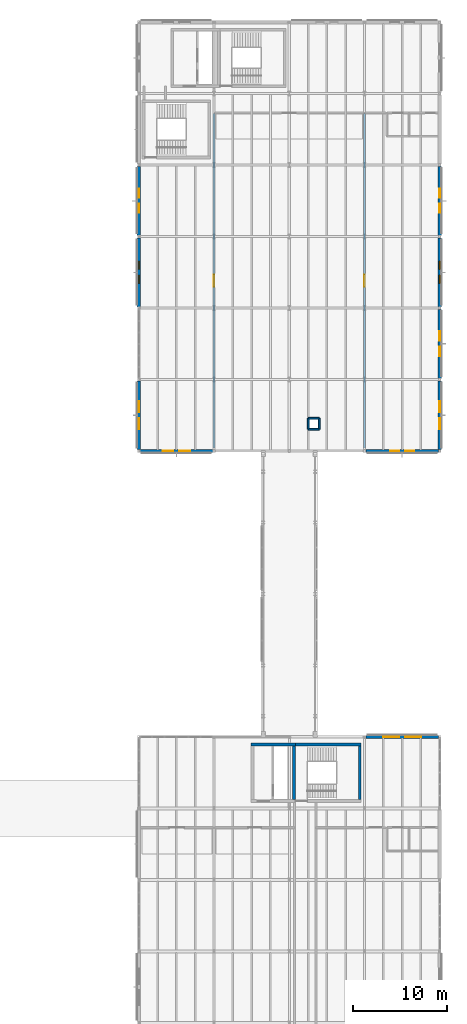
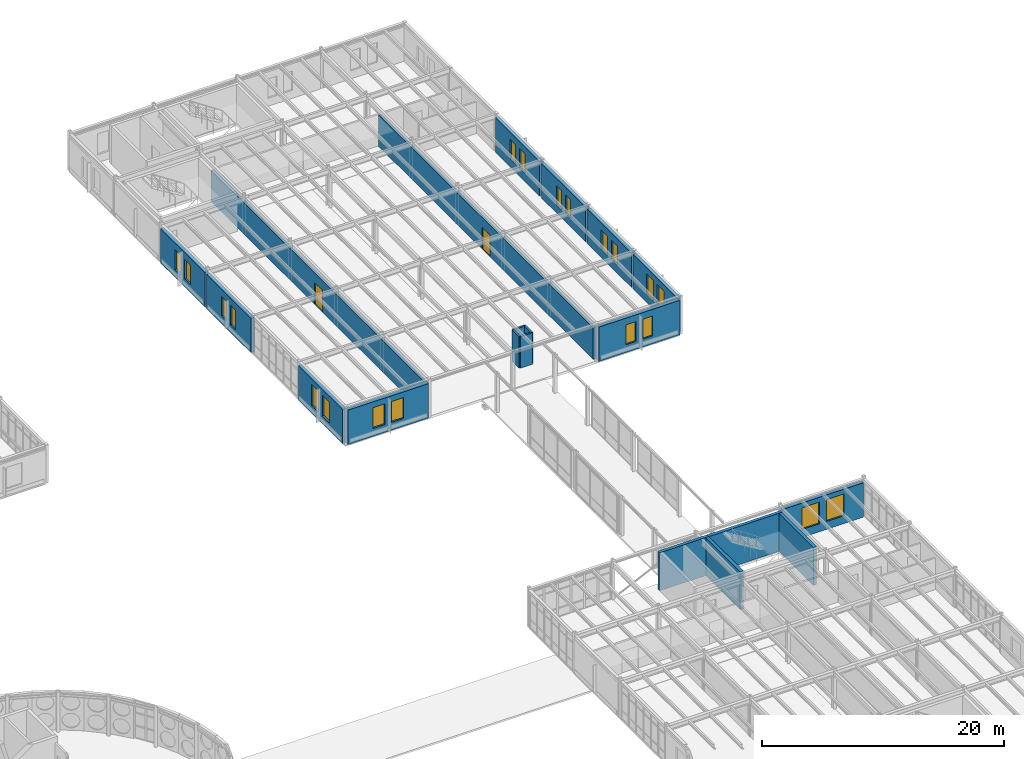
# One storey, part 167 of 189: 20 walls, 20 windows, 2 doors, 22 openings.
"""IFC4 building model written with IfcOpenShell, lengths in metres."""

from ifc_helpers import new_model, si_unit, direction, frame, frame_2d, origin, place, context, subcontext, project, spatial, rectangle, extrude, material, layer, layer_set, type_object, element, fill, save


model = new_model("IFC4")

# Units and contexts
model_context = context("Model", 3, precision=1e-05, world=origin(), true_north=direction((0.0, 1.0)))
body_context = subcontext(model_context, "Body", "Model", "MODEL_VIEW")
ifc_project = project(units=[si_unit("LENGTHUNIT", "METRE"), si_unit("AREAUNIT", "SQUARE_METRE"), si_unit("VOLUMEUNIT", "CUBIC_METRE"), si_unit("PLANEANGLEUNIT", "RADIAN"), si_unit("MASSUNIT", "GRAM", prefix="KILO")], contexts=[model_context])

# Site, building, storey
site_placement = place(None, origin())
site = spatial("IfcSite", under=ifc_project, at=site_placement, CompositionType="ELEMENT")
building_placement = place(site_placement, origin())
building = spatial("IfcBuilding", under=site, at=building_placement, Name="Montecoro Central Library", CompositionType="ELEMENT")
storey_placement = place(building_placement, frame((0.0, 0.0, 9.179931640625)))
storey = spatial("IfcBuildingStorey", under=building, at=storey_placement, Name="L02", CompositionType="ELEMENT", Elevation=9.179931640625)

# Wall, openings, windows
ifc_material_1 = material(Name="Roman travertine stone clad concrete C35/45", Category="masonry")
ifc_layer_1 = layer(ifc_material_1, 0.364990234375)
ifc_layer_set_1 = layer_set([ifc_layer_1], Name="Roman travertine stone clad concrete C35/45")
wall_type_1 = type_object("IfcWallType", Name="EW-STK-365", PredefinedType="SOLIDWALL", material=ifc_layer_set_1)
wall_1_placement = place(storey_placement, frame((141.133056640625, 73.39990234375, 0.0), z_axis=(0.0, 0.0, 1.0), x_axis=(1.0, 0.0, 0.0)))
wall_1 = element("IfcWall", 1, at=wall_1_placement, inside=storey, type_object=wall_type_1, Name="V5-L02-EW-S0", PredefinedType="SOLIDWALL", context=body_context, shape_type="SweptSolid", body=[
    extrude(rectangle(XDim=7.73388671875, YDim=0.364990234375, at=frame_2d((3.866943359375, 0.0))), origin(), (0.0, 0.0, 1.0), 3.47998046875),
])
opening_1_placement = place(wall_1_placement, frame((2.39208984375, 0.0, 0.800048828125)))
opening_1 = element("IfcOpeningElement", 2, at=opening_1_placement, cuts=wall_1, Name="Opening WN-04", PredefinedType="OPENING", context=body_context, shape_type="SweptSolid", body=[
    extrude(rectangle(XDim=1.14990234375, YDim=2.10009765625, at=frame_2d((0.574951171875, 1.050048828125))), frame((0.0, 0.1923828125, 0.0), z_axis=(0.0, -1.0, 0.0), x_axis=(1.0, 0.0, 0.0)), (0.0, 0.0, 1.0), 0.385009765625),
])
opening_2_placement = place(wall_1_placement, frame((4.19189453125, 0.0, 0.800048828125)))
opening_2 = element("IfcOpeningElement", 3, at=opening_2_placement, cuts=wall_1, Name="Opening WN-04", PredefinedType="OPENING", context=body_context, shape_type="SweptSolid", body=[
    extrude(rectangle(XDim=1.14990234375, YDim=2.10009765625, at=frame_2d((0.574951171875, 1.050048828125))), frame((0.0, 0.1923828125, 0.0), z_axis=(0.0, -1.0, 0.0), x_axis=(1.0, 0.0, 0.0)), (0.0, 0.0, 1.0), 0.385009765625),
])
ifc_material_2 = material(Name="UV-filtered triple glazing", Category="glass")
window_type_1 = type_object("IfcWindowType", Name="WN-STK-115", PartitioningType="SINGLE_PANEL", PredefinedType="WINDOW", material=ifc_material_2)
window_1_placement = place(opening_1_placement, origin())
window_1 = element("IfcWindow", 4, at=window_1_placement, inside=storey, type_object=window_type_1, Name="V5-L02-WN-S0-1", OverallHeight=2.10009765625, OverallWidth=1.14990234375, PartitioningType="SINGLE_PANEL", PredefinedType="WINDOW", context=body_context, shape_type="SweptSolid", body=[
    extrude(rectangle(XDim=1.14990234375, YDim=2.10009765625, at=frame_2d((0.574951171875, 1.050048828125))), frame((0.0, 0.030029296875, 0.0), z_axis=(0.0, -1.0, 0.0), x_axis=(1.0, 0.0, 0.0)), (0.0, 0.0, 1.0), 0.06005859375),
])
fill(opening_1, window_1)
window_2_placement = place(opening_2_placement, origin())
window_2 = element("IfcWindow", 5, at=window_2_placement, inside=storey, type_object=window_type_1, Name="V5-L02-WN-S0-2", OverallHeight=2.10009765625, OverallWidth=1.14990234375, PartitioningType="SINGLE_PANEL", PredefinedType="WINDOW", context=body_context, shape_type="SweptSolid", body=[
    extrude(rectangle(XDim=1.14990234375, YDim=2.10009765625, at=frame_2d((0.574951171875, 1.050048828125))), frame((0.0, 0.030029296875, 0.0), z_axis=(0.0, -1.0, 0.0), x_axis=(1.0, 0.0, 0.0)), (0.0, 0.0, 1.0), 0.06005859375),
])
fill(opening_2, window_2)

wall_2_placement = place(storey_placement, frame((165.133056640625, 73.39990234375, 0.0), z_axis=(0.0, 0.0, 1.0), x_axis=(1.0, 0.0, 0.0)))
wall_2 = element("IfcWall", 6, at=wall_2_placement, inside=storey, type_object=wall_type_1, Name="V5-L02-EW-S3", PredefinedType="SOLIDWALL", context=body_context, shape_type="SweptSolid", body=[
    extrude(rectangle(XDim=7.73388671875, YDim=0.364990234375, at=frame_2d((3.866943359375, 0.0))), origin(), (0.0, 0.0, 1.0), 3.47998046875),
])
opening_3_placement = place(wall_2_placement, frame((2.592041015625, 0.0, 0.800048828125)))
opening_3 = element("IfcOpeningElement", 7, at=opening_3_placement, cuts=wall_2, Name="Opening WN-02", PredefinedType="OPENING", context=body_context, shape_type="SweptSolid", body=[
    extrude(rectangle(XDim=0.949951171875, YDim=2.0, at=frame_2d((0.47509765625, 1.0))), frame((0.0, 0.1923828125, 0.0), z_axis=(0.0, -1.0, 0.0), x_axis=(1.0, 0.0, 0.0)), (0.0, 0.0, 1.0), 0.385009765625),
])
opening_4_placement = place(wall_2_placement, frame((4.19189453125, 0.0, 0.800048828125)))
opening_4 = element("IfcOpeningElement", 8, at=opening_4_placement, cuts=wall_2, Name="Opening WN-02", PredefinedType="OPENING", context=body_context, shape_type="SweptSolid", body=[
    extrude(rectangle(XDim=0.949951171875, YDim=2.0, at=frame_2d((0.47509765625, 1.0))), frame((0.0, 0.1923828125, 0.0), z_axis=(0.0, -1.0, 0.0), x_axis=(1.0, 0.0, 0.0)), (0.0, 0.0, 1.0), 0.385009765625),
])
window_type_2 = type_object("IfcWindowType", Name="WN-STK-095", PartitioningType="SINGLE_PANEL", PredefinedType="WINDOW", material=ifc_material_2)
window_3_placement = place(opening_3_placement, origin())
window_3 = element("IfcWindow", 9, at=window_3_placement, inside=storey, type_object=window_type_2, Name="V5-L02-WN-S3-1", OverallHeight=2.0, OverallWidth=0.949951171875, PartitioningType="SINGLE_PANEL", PredefinedType="WINDOW", context=body_context, shape_type="SweptSolid", body=[
    extrude(rectangle(XDim=0.949951171875, YDim=2.0, at=frame_2d((0.47509765625, 1.0))), frame((0.0, 0.030029296875, 0.0), z_axis=(0.0, -1.0, 0.0), x_axis=(1.0, 0.0, 0.0)), (0.0, 0.0, 1.0), 0.06005859375),
])
fill(opening_3, window_3)
window_4_placement = place(opening_4_placement, origin())
window_4 = element("IfcWindow", 10, at=window_4_placement, inside=storey, type_object=window_type_2, Name="V5-L02-WN-S3-2", OverallHeight=2.0, OverallWidth=0.949951171875, PartitioningType="SINGLE_PANEL", PredefinedType="WINDOW", context=body_context, shape_type="SweptSolid", body=[
    extrude(rectangle(XDim=0.949951171875, YDim=2.0, at=frame_2d((0.47509765625, 1.0))), frame((0.0, 0.030029296875, 0.0), z_axis=(0.0, -1.0, 0.0), x_axis=(1.0, 0.0, 0.0)), (0.0, 0.0, 1.0), 0.06005859375),
])
fill(opening_4, window_4)

wall_3_placement = place(storey_placement, frame((173.0, 73.532958984375, 0.0), z_axis=(0.0, 0.0, 1.0), x_axis=(0.0, 1.0, 0.0)))
wall_3 = element("IfcWall", 11, at=wall_3_placement, inside=storey, type_object=wall_type_1, Name="V5-L02-EW-E0", PredefinedType="SOLIDWALL", context=body_context, shape_type="SweptSolid", body=[
    extrude(rectangle(XDim=7.333984375, YDim=0.364990234375, at=frame_2d((3.6669921875, 0.0))), origin(), (0.0, 0.0, 1.0), 3.47998046875),
])
opening_5_placement = place(wall_3_placement, frame((2.19189453125, 0.0, 0.800048828125)))
opening_5 = element("IfcOpeningElement", 12, at=opening_5_placement, cuts=wall_3, Name="Opening WN-04", PredefinedType="OPENING", context=body_context, shape_type="SweptSolid", body=[
    extrude(rectangle(XDim=1.14990234375, YDim=2.10009765625, at=frame_2d((0.574951171875, 1.050048828125))), frame((0.0, 0.1923828125, 0.0), z_axis=(0.0, -1.0, 0.0), x_axis=(1.0, 0.0, 0.0)), (0.0, 0.0, 1.0), 0.385009765625),
])
opening_6_placement = place(wall_3_placement, frame((3.991943359375, 0.0, 0.800048828125)))
opening_6 = element("IfcOpeningElement", 13, at=opening_6_placement, cuts=wall_3, Name="Opening WN-04", PredefinedType="OPENING", context=body_context, shape_type="SweptSolid", body=[
    extrude(rectangle(XDim=1.14990234375, YDim=2.10009765625, at=frame_2d((0.574951171875, 1.050048828125))), frame((0.0, 0.1923828125, 0.0), z_axis=(0.0, -1.0, 0.0), x_axis=(1.0, 0.0, 0.0)), (0.0, 0.0, 1.0), 0.385009765625),
])
window_5_placement = place(opening_5_placement, origin())
window_5 = element("IfcWindow", 14, at=window_5_placement, inside=storey, type_object=window_type_1, Name="V5-L02-WN-E0-1", OverallHeight=2.10009765625, OverallWidth=1.14990234375, PartitioningType="SINGLE_PANEL", PredefinedType="WINDOW", context=body_context, shape_type="SweptSolid", body=[
    extrude(rectangle(XDim=1.14990234375, YDim=2.10009765625, at=frame_2d((0.574951171875, 1.050048828125))), frame((0.0, 0.030029296875, 0.0), z_axis=(0.0, -1.0, 0.0), x_axis=(1.0, 0.0, 0.0)), (0.0, 0.0, 1.0), 0.06005859375),
])
fill(opening_5, window_5)
window_6_placement = place(opening_6_placement, origin())
window_6 = element("IfcWindow", 15, at=window_6_placement, inside=storey, type_object=window_type_1, Name="V5-L02-WN-E0-2", OverallHeight=2.10009765625, OverallWidth=1.14990234375, PartitioningType="SINGLE_PANEL", PredefinedType="WINDOW", context=body_context, shape_type="SweptSolid", body=[
    extrude(rectangle(XDim=1.14990234375, YDim=2.10009765625, at=frame_2d((0.574951171875, 1.050048828125))), frame((0.0, 0.030029296875, 0.0), z_axis=(0.0, -1.0, 0.0), x_axis=(1.0, 0.0, 0.0)), (0.0, 0.0, 1.0), 0.06005859375),
])
fill(opening_6, window_6)

wall_4_placement = place(storey_placement, frame((173.0, 81.133056640625, 0.0), z_axis=(0.0, 0.0, 1.0), x_axis=(0.0, 1.0, 0.0)))
wall_4 = element("IfcWall", 16, at=wall_4_placement, inside=storey, type_object=wall_type_1, Name="V5-L02-EW-E1", PredefinedType="SOLIDWALL", context=body_context, shape_type="SweptSolid", body=[
    extrude(rectangle(XDim=7.333984375, YDim=0.364990234375, at=frame_2d((3.6669921875, 0.0))), origin(), (0.0, 0.0, 1.0), 3.47998046875),
])
opening_7_placement = place(wall_4_placement, frame((2.322021484375, 0.0, 0.800048828125)))
opening_7 = element("IfcOpeningElement", 17, at=opening_7_placement, cuts=wall_4, Name="Opening WN-30", PredefinedType="OPENING", context=body_context, shape_type="SweptSolid", body=[
    extrude(rectangle(XDim=1.02001953125, YDim=1.97998046875, at=frame_2d((0.510009765625, 0.989990234375))), frame((0.0, 0.1923828125, 0.0), z_axis=(0.0, -1.0, 0.0), x_axis=(1.0, 0.0, 0.0)), (0.0, 0.0, 1.0), 0.385009765625),
])
opening_8_placement = place(wall_4_placement, frame((3.991943359375, 0.0, 0.800048828125)))
opening_8 = element("IfcOpeningElement", 18, at=opening_8_placement, cuts=wall_4, Name="Opening WN-30", PredefinedType="OPENING", context=body_context, shape_type="SweptSolid", body=[
    extrude(rectangle(XDim=1.02001953125, YDim=1.97998046875, at=frame_2d((0.510009765625, 0.989990234375))), frame((0.0, 0.1923828125, 0.0), z_axis=(0.0, -1.0, 0.0), x_axis=(1.0, 0.0, 0.0)), (0.0, 0.0, 1.0), 0.385009765625),
])
window_type_3 = type_object("IfcWindowType", Name="WN-STK-102", PartitioningType="SINGLE_PANEL", PredefinedType="WINDOW", material=ifc_material_2)
window_7_placement = place(opening_7_placement, origin())
window_7 = element("IfcWindow", 19, at=window_7_placement, inside=storey, type_object=window_type_3, Name="V5-L02-WN-E1-1", OverallHeight=1.97998046875, OverallWidth=1.02001953125, PartitioningType="SINGLE_PANEL", PredefinedType="WINDOW", context=body_context, shape_type="SweptSolid", body=[
    extrude(rectangle(XDim=1.02001953125, YDim=1.97998046875, at=frame_2d((0.510009765625, 0.989990234375))), frame((0.0, 0.030029296875, 0.0), z_axis=(0.0, -1.0, 0.0), x_axis=(1.0, 0.0, 0.0)), (0.0, 0.0, 1.0), 0.06005859375),
])
fill(opening_7, window_7)
window_8_placement = place(opening_8_placement, origin())
window_8 = element("IfcWindow", 20, at=window_8_placement, inside=storey, type_object=window_type_3, Name="V5-L02-WN-E1-2", OverallHeight=1.97998046875, OverallWidth=1.02001953125, PartitioningType="SINGLE_PANEL", PredefinedType="WINDOW", context=body_context, shape_type="SweptSolid", body=[
    extrude(rectangle(XDim=1.02001953125, YDim=1.97998046875, at=frame_2d((0.510009765625, 0.989990234375))), frame((0.0, 0.030029296875, 0.0), z_axis=(0.0, -1.0, 0.0), x_axis=(1.0, 0.0, 0.0)), (0.0, 0.0, 1.0), 0.06005859375),
])
fill(opening_8, window_8)

wall_5_placement = place(storey_placement, frame((173.0, 88.73291015625, 0.0), z_axis=(0.0, 0.0, 1.0), x_axis=(0.0, 1.0, 0.0)))
wall_5 = element("IfcWall", 21, at=wall_5_placement, inside=storey, type_object=wall_type_1, Name="V5-L02-EW-E2", PredefinedType="SOLIDWALL", context=body_context, shape_type="SweptSolid", body=[
    extrude(rectangle(XDim=7.333984375, YDim=0.364990234375, at=frame_2d((3.6669921875, 0.0))), origin(), (0.0, 0.0, 1.0), 3.47998046875),
])
opening_9_placement = place(wall_5_placement, frame((2.491943359375, 0.0, 0.800048828125)))
opening_9 = element("IfcOpeningElement", 22, at=opening_9_placement, cuts=wall_5, Name="Opening WN-01", PredefinedType="OPENING", context=body_context, shape_type="SweptSolid", body=[
    extrude(rectangle(XDim=0.85009765625, YDim=1.949951171875, at=frame_2d((0.425048828125, 0.97509765625))), frame((0.0, 0.1923828125, 0.0), z_axis=(0.0, -1.0, 0.0), x_axis=(1.0, 0.0, 0.0)), (0.0, 0.0, 1.0), 0.385009765625),
])
opening_10_placement = place(wall_5_placement, frame((3.991943359375, 0.0, 0.800048828125)))
opening_10 = element("IfcOpeningElement", 23, at=opening_10_placement, cuts=wall_5, Name="Opening WN-01", PredefinedType="OPENING", context=body_context, shape_type="SweptSolid", body=[
    extrude(rectangle(XDim=0.85009765625, YDim=1.949951171875, at=frame_2d((0.425048828125, 0.97509765625))), frame((0.0, 0.1923828125, 0.0), z_axis=(0.0, -1.0, 0.0), x_axis=(1.0, 0.0, 0.0)), (0.0, 0.0, 1.0), 0.385009765625),
])
window_type_4 = type_object("IfcWindowType", Name="WN-STK-085", PartitioningType="SINGLE_PANEL", PredefinedType="WINDOW", material=ifc_material_2)
window_9_placement = place(opening_9_placement, origin())
window_9 = element("IfcWindow", 24, at=window_9_placement, inside=storey, type_object=window_type_4, Name="V5-L02-WN-E2-1", OverallHeight=1.949951171875, OverallWidth=0.85009765625, PartitioningType="SINGLE_PANEL", PredefinedType="WINDOW", context=body_context, shape_type="SweptSolid", body=[
    extrude(rectangle(XDim=0.85009765625, YDim=1.949951171875, at=frame_2d((0.425048828125, 0.97509765625))), frame((0.0, 0.030029296875, 0.0), z_axis=(0.0, -1.0, 0.0), x_axis=(1.0, 0.0, 0.0)), (0.0, 0.0, 1.0), 0.06005859375),
])
fill(opening_9, window_9)
window_10_placement = place(opening_10_placement, origin())
window_10 = element("IfcWindow", 25, at=window_10_placement, inside=storey, type_object=window_type_4, Name="V5-L02-WN-E2-2", OverallHeight=1.949951171875, OverallWidth=0.85009765625, PartitioningType="SINGLE_PANEL", PredefinedType="WINDOW", context=body_context, shape_type="SweptSolid", body=[
    extrude(rectangle(XDim=0.85009765625, YDim=1.949951171875, at=frame_2d((0.425048828125, 0.97509765625))), frame((0.0, 0.030029296875, 0.0), z_axis=(0.0, -1.0, 0.0), x_axis=(1.0, 0.0, 0.0)), (0.0, 0.0, 1.0), 0.06005859375),
])
fill(opening_10, window_10)

wall_6_placement = place(storey_placement, frame((173.0, 96.3330078125, 0.0), z_axis=(0.0, 0.0, 1.0), x_axis=(0.0, 1.0, 0.0)))
wall_6 = element("IfcWall", 26, at=wall_6_placement, inside=storey, type_object=wall_type_1, Name="V5-L02-EW-E3", PredefinedType="SOLIDWALL", context=body_context, shape_type="SweptSolid", body=[
    extrude(rectangle(XDim=7.333984375, YDim=0.364990234375, at=frame_2d((3.6669921875, 0.0))), origin(), (0.0, 0.0, 1.0), 3.47998046875),
])
opening_11_placement = place(wall_6_placement, frame((2.39208984375, 0.0, 0.800048828125)))
opening_11 = element("IfcOpeningElement", 27, at=opening_11_placement, cuts=wall_6, Name="Opening WN-02", PredefinedType="OPENING", context=body_context, shape_type="SweptSolid", body=[
    extrude(rectangle(XDim=0.949951171875, YDim=2.0, at=frame_2d((0.47509765625, 1.0))), frame((0.0, 0.1923828125, 0.0), z_axis=(0.0, -1.0, 0.0), x_axis=(1.0, 0.0, 0.0)), (0.0, 0.0, 1.0), 0.385009765625),
])
opening_12_placement = place(wall_6_placement, frame((3.991943359375, 0.0, 0.800048828125)))
opening_12 = element("IfcOpeningElement", 28, at=opening_12_placement, cuts=wall_6, Name="Opening WN-02", PredefinedType="OPENING", context=body_context, shape_type="SweptSolid", body=[
    extrude(rectangle(XDim=0.949951171875, YDim=2.0, at=frame_2d((0.47509765625, 1.0))), frame((0.0, 0.1923828125, 0.0), z_axis=(0.0, -1.0, 0.0), x_axis=(1.0, 0.0, 0.0)), (0.0, 0.0, 1.0), 0.385009765625),
])
window_11_placement = place(opening_11_placement, origin())
window_11 = element("IfcWindow", 29, at=window_11_placement, inside=storey, type_object=window_type_2, Name="V5-L02-WN-E3-1", OverallHeight=2.0, OverallWidth=0.949951171875, PartitioningType="SINGLE_PANEL", PredefinedType="WINDOW", context=body_context, shape_type="SweptSolid", body=[
    extrude(rectangle(XDim=0.949951171875, YDim=2.0, at=frame_2d((0.47509765625, 1.0))), frame((0.0, 0.030029296875, 0.0), z_axis=(0.0, -1.0, 0.0), x_axis=(1.0, 0.0, 0.0)), (0.0, 0.0, 1.0), 0.06005859375),
])
fill(opening_11, window_11)
window_12_placement = place(opening_12_placement, origin())
window_12 = element("IfcWindow", 30, at=window_12_placement, inside=storey, type_object=window_type_2, Name="V5-L02-WN-E3-2", OverallHeight=2.0, OverallWidth=0.949951171875, PartitioningType="SINGLE_PANEL", PredefinedType="WINDOW", context=body_context, shape_type="SweptSolid", body=[
    extrude(rectangle(XDim=0.949951171875, YDim=2.0, at=frame_2d((0.47509765625, 1.0))), frame((0.0, 0.030029296875, 0.0), z_axis=(0.0, -1.0, 0.0), x_axis=(1.0, 0.0, 0.0)), (0.0, 0.0, 1.0), 0.06005859375),
])
fill(opening_12, window_12)

wall_7_placement = place(storey_placement, frame((141.0, 103.6669921875, 0.0), z_axis=(0.0, 0.0, 1.0), x_axis=(0.0, -1.0, 0.0)))
wall_7 = element("IfcWall", 31, at=wall_7_placement, inside=storey, type_object=wall_type_1, Name="V5-L02-EW-W3", PredefinedType="SOLIDWALL", context=body_context, shape_type="SweptSolid", body=[
    extrude(rectangle(XDim=7.333984375, YDim=0.364990234375, at=frame_2d((3.6669921875, 0.0))), origin(), (0.0, 0.0, 1.0), 3.47998046875),
])
opening_13_placement = place(wall_7_placement, frame((2.39208984375, 0.0, 0.800048828125)))
opening_13 = element("IfcOpeningElement", 32, at=opening_13_placement, cuts=wall_7, Name="Opening WN-02", PredefinedType="OPENING", context=body_context, shape_type="SweptSolid", body=[
    extrude(rectangle(XDim=0.949951171875, YDim=2.0, at=frame_2d((0.47509765625, 1.0))), frame((0.0, 0.1923828125, 0.0), z_axis=(0.0, -1.0, 0.0), x_axis=(1.0, 0.0, 0.0)), (0.0, 0.0, 1.0), 0.385009765625),
])
opening_14_placement = place(wall_7_placement, frame((3.991943359375, 0.0, 0.800048828125)))
opening_14 = element("IfcOpeningElement", 33, at=opening_14_placement, cuts=wall_7, Name="Opening WN-02", PredefinedType="OPENING", context=body_context, shape_type="SweptSolid", body=[
    extrude(rectangle(XDim=0.949951171875, YDim=2.0, at=frame_2d((0.47509765625, 1.0))), frame((0.0, 0.1923828125, 0.0), z_axis=(0.0, -1.0, 0.0), x_axis=(1.0, 0.0, 0.0)), (0.0, 0.0, 1.0), 0.385009765625),
])
window_13_placement = place(opening_13_placement, origin())
window_13 = element("IfcWindow", 34, at=window_13_placement, inside=storey, type_object=window_type_2, Name="V5-L02-WN-W3-1", OverallHeight=2.0, OverallWidth=0.949951171875, PartitioningType="SINGLE_PANEL", PredefinedType="WINDOW", context=body_context, shape_type="SweptSolid", body=[
    extrude(rectangle(XDim=0.949951171875, YDim=2.0, at=frame_2d((0.47509765625, 1.0))), frame((0.0, 0.030029296875, 0.0), z_axis=(0.0, -1.0, 0.0), x_axis=(1.0, 0.0, 0.0)), (0.0, 0.0, 1.0), 0.06005859375),
])
fill(opening_13, window_13)
window_14_placement = place(opening_14_placement, origin())
window_14 = element("IfcWindow", 35, at=window_14_placement, inside=storey, type_object=window_type_2, Name="V5-L02-WN-W3-2", OverallHeight=2.0, OverallWidth=0.949951171875, PartitioningType="SINGLE_PANEL", PredefinedType="WINDOW", context=body_context, shape_type="SweptSolid", body=[
    extrude(rectangle(XDim=0.949951171875, YDim=2.0, at=frame_2d((0.47509765625, 1.0))), frame((0.0, 0.030029296875, 0.0), z_axis=(0.0, -1.0, 0.0), x_axis=(1.0, 0.0, 0.0)), (0.0, 0.0, 1.0), 0.06005859375),
])
fill(opening_14, window_14)

wall_8_placement = place(storey_placement, frame((141.0, 96.06689453125, 0.0), z_axis=(0.0, 0.0, 1.0), x_axis=(0.0, -1.0, 0.0)))
wall_8 = element("IfcWall", 36, at=wall_8_placement, inside=storey, type_object=wall_type_1, Name="V5-L02-EW-W2", PredefinedType="SOLIDWALL", context=body_context, shape_type="SweptSolid", body=[
    extrude(rectangle(XDim=7.333984375, YDim=0.364990234375, at=frame_2d((3.6669921875, 0.0))), origin(), (0.0, 0.0, 1.0), 3.47998046875),
])
opening_15_placement = place(wall_8_placement, frame((2.491943359375, 0.0, 0.800048828125)))
opening_15 = element("IfcOpeningElement", 37, at=opening_15_placement, cuts=wall_8, Name="Opening WN-01", PredefinedType="OPENING", context=body_context, shape_type="SweptSolid", body=[
    extrude(rectangle(XDim=0.85009765625, YDim=1.949951171875, at=frame_2d((0.425048828125, 0.97509765625))), frame((0.0, 0.1923828125, 0.0), z_axis=(0.0, -1.0, 0.0), x_axis=(1.0, 0.0, 0.0)), (0.0, 0.0, 1.0), 0.385009765625),
])
opening_16_placement = place(wall_8_placement, frame((3.991943359375, 0.0, 0.800048828125)))
opening_16 = element("IfcOpeningElement", 38, at=opening_16_placement, cuts=wall_8, Name="Opening WN-01", PredefinedType="OPENING", context=body_context, shape_type="SweptSolid", body=[
    extrude(rectangle(XDim=0.85009765625, YDim=1.949951171875, at=frame_2d((0.425048828125, 0.97509765625))), frame((0.0, 0.1923828125, 0.0), z_axis=(0.0, -1.0, 0.0), x_axis=(1.0, 0.0, 0.0)), (0.0, 0.0, 1.0), 0.385009765625),
])
window_15_placement = place(opening_15_placement, origin())
window_15 = element("IfcWindow", 39, at=window_15_placement, inside=storey, type_object=window_type_4, Name="V5-L02-WN-W2-1", OverallHeight=1.949951171875, OverallWidth=0.85009765625, PartitioningType="SINGLE_PANEL", PredefinedType="WINDOW", context=body_context, shape_type="SweptSolid", body=[
    extrude(rectangle(XDim=0.85009765625, YDim=1.949951171875, at=frame_2d((0.425048828125, 0.97509765625))), frame((0.0, 0.030029296875, 0.0), z_axis=(0.0, -1.0, 0.0), x_axis=(1.0, 0.0, 0.0)), (0.0, 0.0, 1.0), 0.06005859375),
])
fill(opening_15, window_15)
window_16_placement = place(opening_16_placement, origin())
window_16 = element("IfcWindow", 40, at=window_16_placement, inside=storey, type_object=window_type_4, Name="V5-L02-WN-W2-2", OverallHeight=1.949951171875, OverallWidth=0.85009765625, PartitioningType="SINGLE_PANEL", PredefinedType="WINDOW", context=body_context, shape_type="SweptSolid", body=[
    extrude(rectangle(XDim=0.85009765625, YDim=1.949951171875, at=frame_2d((0.425048828125, 0.97509765625))), frame((0.0, 0.030029296875, 0.0), z_axis=(0.0, -1.0, 0.0), x_axis=(1.0, 0.0, 0.0)), (0.0, 0.0, 1.0), 0.06005859375),
])
fill(opening_16, window_16)

wall_9_placement = place(storey_placement, frame((141.0, 80.866943359375, 0.0), z_axis=(0.0, 0.0, 1.0), x_axis=(0.0, -1.0, 0.0)))
wall_9 = element("IfcWall", 41, at=wall_9_placement, inside=storey, type_object=wall_type_1, Name="V5-L02-EW-W0", PredefinedType="SOLIDWALL", context=body_context, shape_type="SweptSolid", body=[
    extrude(rectangle(XDim=7.333984375, YDim=0.364990234375, at=frame_2d((3.6669921875, 0.0))), origin(), (0.0, 0.0, 1.0), 3.47998046875),
])
opening_17_placement = place(wall_9_placement, frame((2.19189453125, 0.0, 0.800048828125)))
opening_17 = element("IfcOpeningElement", 42, at=opening_17_placement, cuts=wall_9, Name="Opening WN-04", PredefinedType="OPENING", context=body_context, shape_type="SweptSolid", body=[
    extrude(rectangle(XDim=1.14990234375, YDim=2.10009765625, at=frame_2d((0.574951171875, 1.050048828125))), frame((0.0, 0.1923828125, 0.0), z_axis=(0.0, -1.0, 0.0), x_axis=(1.0, 0.0, 0.0)), (0.0, 0.0, 1.0), 0.385009765625),
])
opening_18_placement = place(wall_9_placement, frame((3.991943359375, 0.0, 0.800048828125)))
opening_18 = element("IfcOpeningElement", 43, at=opening_18_placement, cuts=wall_9, Name="Opening WN-04", PredefinedType="OPENING", context=body_context, shape_type="SweptSolid", body=[
    extrude(rectangle(XDim=1.14990234375, YDim=2.10009765625, at=frame_2d((0.574951171875, 1.050048828125))), frame((0.0, 0.1923828125, 0.0), z_axis=(0.0, -1.0, 0.0), x_axis=(1.0, 0.0, 0.0)), (0.0, 0.0, 1.0), 0.385009765625),
])
window_17_placement = place(opening_17_placement, origin())
window_17 = element("IfcWindow", 44, at=window_17_placement, inside=storey, type_object=window_type_1, Name="V5-L02-WN-W0-1", OverallHeight=2.10009765625, OverallWidth=1.14990234375, PartitioningType="SINGLE_PANEL", PredefinedType="WINDOW", context=body_context, shape_type="SweptSolid", body=[
    extrude(rectangle(XDim=1.14990234375, YDim=2.10009765625, at=frame_2d((0.574951171875, 1.050048828125))), frame((0.0, 0.030029296875, 0.0), z_axis=(0.0, -1.0, 0.0), x_axis=(1.0, 0.0, 0.0)), (0.0, 0.0, 1.0), 0.06005859375),
])
fill(opening_17, window_17)
window_18_placement = place(opening_18_placement, origin())
window_18 = element("IfcWindow", 45, at=window_18_placement, inside=storey, type_object=window_type_1, Name="V5-L02-WN-W0-2", OverallHeight=2.10009765625, OverallWidth=1.14990234375, PartitioningType="SINGLE_PANEL", PredefinedType="WINDOW", context=body_context, shape_type="SweptSolid", body=[
    extrude(rectangle(XDim=1.14990234375, YDim=2.10009765625, at=frame_2d((0.574951171875, 1.050048828125))), frame((0.0, 0.030029296875, 0.0), z_axis=(0.0, -1.0, 0.0), x_axis=(1.0, 0.0, 0.0)), (0.0, 0.0, 1.0), 0.06005859375),
])
fill(opening_18, window_18)

ifc_layer_2 = layer(ifc_material_1, 0.344970703125)
ifc_layer_set_2 = layer_set([ifc_layer_2], Name="Roman travertine stone clad concrete C35/45")
wall_type_2 = type_object("IfcWallType", Name="EW-TRV-345", PredefinedType="SOLIDWALL", material=ifc_layer_set_2)
wall_10_placement = place(storey_placement, frame((172.866943359375, 43.0, 0.0), z_axis=(0.0, 0.0, 1.0), x_axis=(-1.0, 0.0, 0.0)))
wall_10 = element("IfcWall", 46, at=wall_10_placement, inside=storey, type_object=wall_type_2, Name="V6-L02-EW-N3", PredefinedType="SOLIDWALL", context=body_context, shape_type="SweptSolid", body=[
    extrude(rectangle(XDim=7.73388671875, YDim=0.344970703125, at=frame_2d((3.866943359375, 0.0))), origin(), (0.0, 0.0, 1.0), 3.47998046875),
])
opening_19_placement = place(wall_10_placement, frame((1.842041015625, 0.0, 0.800048828125)))
opening_19 = element("IfcOpeningElement", 47, at=opening_19_placement, cuts=wall_10, Name="Opening WN-17", PredefinedType="OPENING", context=body_context, shape_type="SweptSolid", body=[
    extrude(rectangle(XDim=1.699951171875, YDim=2.199951171875, at=frame_2d((0.85009765625, 1.10009765625))), frame((0.0, 0.182373046875, 0.0), z_axis=(0.0, -1.0, 0.0), x_axis=(1.0, 0.0, 0.0)), (0.0, 0.0, 1.0), 0.364990234375),
])
opening_20_placement = place(wall_10_placement, frame((4.19189453125, 0.0, 0.800048828125)))
opening_20 = element("IfcOpeningElement", 48, at=opening_20_placement, cuts=wall_10, Name="Opening WN-17", PredefinedType="OPENING", context=body_context, shape_type="SweptSolid", body=[
    extrude(rectangle(XDim=1.699951171875, YDim=2.199951171875, at=frame_2d((0.85009765625, 1.10009765625))), frame((0.0, 0.182373046875, 0.0), z_axis=(0.0, -1.0, 0.0), x_axis=(1.0, 0.0, 0.0)), (0.0, 0.0, 1.0), 0.364990234375),
])
ifc_material_3 = material(Name="Laminated low-E double glazing", Category="glass")
window_type_5 = type_object("IfcWindowType", Name="WN-COM-170", PartitioningType="SINGLE_PANEL", PredefinedType="WINDOW", material=ifc_material_3)
window_19_placement = place(opening_19_placement, origin())
window_19 = element("IfcWindow", 49, at=window_19_placement, inside=storey, type_object=window_type_5, Name="V6-L02-WN-N3-1", OverallHeight=2.199951171875, OverallWidth=1.699951171875, PartitioningType="SINGLE_PANEL", PredefinedType="WINDOW", context=body_context, shape_type="SweptSolid", body=[
    extrude(rectangle(XDim=1.699951171875, YDim=2.199951171875, at=frame_2d((0.85009765625, 1.10009765625))), frame((0.0, 0.030029296875, 0.0), z_axis=(0.0, -1.0, 0.0), x_axis=(1.0, 0.0, 0.0)), (0.0, 0.0, 1.0), 0.06005859375),
])
fill(opening_19, window_19)
window_20_placement = place(opening_20_placement, origin())
window_20 = element("IfcWindow", 50, at=window_20_placement, inside=storey, type_object=window_type_5, Name="V6-L02-WN-N3-2", OverallHeight=2.199951171875, OverallWidth=1.699951171875, PartitioningType="SINGLE_PANEL", PredefinedType="WINDOW", context=body_context, shape_type="SweptSolid", body=[
    extrude(rectangle(XDim=1.699951171875, YDim=2.199951171875, at=frame_2d((0.85009765625, 1.10009765625))), frame((0.0, 0.030029296875, 0.0), z_axis=(0.0, -1.0, 0.0), x_axis=(1.0, 0.0, 0.0)), (0.0, 0.0, 1.0), 0.06005859375),
])
fill(opening_20, window_20)

# Walls
ifc_material_4 = material(Name="Gypsum fire-rated partition")
ifc_layer_3 = layer(ifc_material_4, 0.179931640625)
ifc_layer_set_3 = layer_set([ifc_layer_3], Name="Gypsum fire-rated partition")
wall_type_3 = type_object("IfcWallType", Name="IW-COR-180", PredefinedType="PARTITIONING", material=ifc_layer_set_3)
for number, where, z_axis, x_axis, name in (
    (51, (159.02001953125, 75.719970703125, 0.0), (0.0, 0.0, 1.0), (1.0, 0.0, 0.0), "RSR-V5-L02-SL3-S"),
    (52, (160.179931640625, 76.8798828125, 0.0), (0.0, 0.0, 1.0), (-1.0, 0.0, 0.0), "RSR-V5-L02-SL3-N"),
    (53, (159.02001953125, 76.8798828125, 0.0), (0.0, 0.0, 1.0), (0.0, -1.0, 0.0), "RSR-V5-L02-SL3-W"),
    (54, (160.179931640625, 75.719970703125, 0.0), (0.0, 0.0, 1.0), (0.0, 1.0, 0.0), "RSR-V5-L02-SL3-E"),
):
    element("IfcWall", number, at=place(storey_placement, frame(where, z_axis=z_axis, x_axis=x_axis)), inside=storey, type_object=wall_type_3, Name=name, PredefinedType="PARTITIONING", context=body_context, shape_type="SweptSolid", body=[
        extrude(rectangle(XDim=1.159912109375, YDim=0.179931640625, at=frame_2d((0.580078125, 0.0))), origin(), (0.0, 0.0, 1.0), 3.18017578125),
    ])
ifc_material_5 = material(Name="Concrete C35/45", Category="concrete")
ifc_layer_4 = layer(ifc_material_5, 0.300048828125)
ifc_layer_set_4 = layer_set([ifc_layer_4], Name="Concrete C35/45")
wall_type_4 = type_object("IfcWallType", Name="IW-SHR-300", PredefinedType="SHEAR", material=ifc_layer_set_4)
wall_11_placement = place(storey_placement, frame((157.64990234375, 42.199951171875, 0.0), z_axis=(0.0, 0.0, 1.0), x_axis=(-1.0, 0.0, 0.0)))
element("IfcWall", 55, at=wall_11_placement, inside=storey, type_object=wall_type_4, Name="C7-L02-LWN", PredefinedType="SHEAR", context=body_context, shape_type="SweptSolid", body=[
    extrude(rectangle(XDim=4.699951171875, YDim=0.300048828125, at=frame_2d((2.35009765625, 0.0))), origin(), (0.0, 0.0, 1.0), 3.844970703125),
])
wall_12_placement = place(storey_placement, frame((157.35009765625, 42.199951171875, 0.0), z_axis=(0.0, 0.0, 1.0), x_axis=(1.0, 0.0, 0.0)))
element("IfcWall", 56, at=wall_12_placement, inside=storey, type_object=wall_type_4, Name="C7-L02-WN", PredefinedType="SHEAR", context=body_context, shape_type="SweptSolid", body=[
    extrude(rectangle(XDim=7.2998046875, YDim=0.300048828125, at=frame_2d((3.64990234375, 0.0))), origin(), (0.0, 0.0, 1.0), 3.844970703125),
])
for number, where, z_axis, x_axis, name in (
    (57, (157.5, 36.35009765625, 0.0), (0.0, 0.0, 1.0), (0.0, 1.0, 0.0), "C7-L02-WW"),
    (58, (164.5, 36.35009765625, 0.0), (0.0, 0.0, 1.0), (0.0, 1.0, 0.0), "C7-L02-WE"),
):
    element("IfcWall", number, at=place(storey_placement, frame(where, z_axis=z_axis, x_axis=x_axis)), inside=storey, type_object=wall_type_4, Name=name, PredefinedType="SHEAR", context=body_context, shape_type="SweptSolid", body=[
        extrude(rectangle(XDim=5.699951171875, YDim=0.300048828125, at=frame_2d((2.85009765625, 0.0))), origin(), (0.0, 0.0, 1.0), 3.844970703125),
    ])

# Wall, opening, door
ifc_material_6 = material(Name="Concrete C32/40", Category="concrete")
ifc_layer_5 = layer(ifc_material_6, 0.239990234375)
ifc_layer_set_5 = layer_set([ifc_layer_5], Name="Concrete C32/40")
wall_type_5 = type_object("IfcWallType", Name="IW-VLT-240", PredefinedType="SOLIDWALL", material=ifc_layer_set_5)
wall_13_placement = place(storey_placement, frame((149.0, 73.719970703125, 0.0), z_axis=(0.0, 0.0, 1.0), x_axis=(0.0, 1.0, 0.0)))
wall_13 = element("IfcWall", 59, at=wall_13_placement, inside=storey, type_object=wall_type_5, Name="Archival Vault Enclosure Wall", PredefinedType="SOLIDWALL", context=body_context, shape_type="SweptSolid", body=[
    extrude(rectangle(XDim=35.5400390625, YDim=0.239990234375, at=frame_2d((17.77001953125, 0.0))), origin(), (0.0, 0.0, 1.0), 3.18017578125),
])
opening_21_placement = place(wall_13_placement, frame((17.1201171875, 0.0, 0.0)))
opening_21 = element("IfcOpeningElement", 60, at=opening_21_placement, cuts=wall_13, Name="Opening ID-04", PredefinedType="OPENING", context=body_context, shape_type="SweptSolid", body=[
    extrude(rectangle(XDim=1.300048828125, YDim=2.199951171875, at=frame_2d((0.64990234375, 1.10009765625))), frame((0.0, 0.1298828125, 0.0), z_axis=(0.0, -1.0, 0.0), x_axis=(1.0, 0.0, 0.0)), (0.0, 0.0, 1.0), 0.260009765625),
])
ifc_material_7 = material(Name="Solid oak and fire-rated steel door", Category="steel")
door_type = type_object("IfcDoorType", Name="ID-VLT-130", OperationType="NOTDEFINED", PredefinedType="DOOR", material=ifc_material_7)
door_1_placement = place(opening_21_placement, origin())
door_1 = element("IfcDoor", 61, at=door_1_placement, inside=storey, type_object=door_type, Name="DR-SP-V5-L02-R1P1", OperationType="SINGLE_SWING_LEFT", OverallHeight=2.199951171875, OverallWidth=1.300048828125, PredefinedType="DOOR", context=body_context, shape_type="SweptSolid", body=[
    extrude(rectangle(XDim=1.300048828125, YDim=2.199951171875, at=frame_2d((0.64990234375, 1.10009765625))), frame((0.0, 0.02490234375, 0.0), z_axis=(0.0, -1.0, 0.0), x_axis=(1.0, 0.0, 0.0)), (0.0, 0.0, 1.0), 0.050048828125),
])
fill(opening_21, door_1)

wall_14_placement = place(storey_placement, frame((165.0, 73.719970703125, 0.0), z_axis=(0.0, 0.0, 1.0), x_axis=(0.0, 1.0, 0.0)))
wall_14 = element("IfcWall", 62, at=wall_14_placement, inside=storey, type_object=wall_type_5, Name="Archival Vault Enclosure Wall", PredefinedType="SOLIDWALL", context=body_context, shape_type="SweptSolid", body=[
    extrude(rectangle(XDim=35.5400390625, YDim=0.239990234375, at=frame_2d((17.77001953125, 0.0))), origin(), (0.0, 0.0, 1.0), 3.18017578125),
])
opening_22_placement = place(wall_14_placement, frame((17.1201171875, 0.0, 0.0)))
opening_22 = element("IfcOpeningElement", 63, at=opening_22_placement, cuts=wall_14, Name="Opening ID-04", PredefinedType="OPENING", context=body_context, shape_type="SweptSolid", body=[
    extrude(rectangle(XDim=1.300048828125, YDim=2.199951171875, at=frame_2d((0.64990234375, 1.10009765625))), frame((0.0, 0.1298828125, 0.0), z_axis=(0.0, -1.0, 0.0), x_axis=(1.0, 0.0, 0.0)), (0.0, 0.0, 1.0), 0.260009765625),
])
door_2_placement = place(opening_22_placement, origin())
door_2 = element("IfcDoor", 64, at=door_2_placement, inside=storey, type_object=door_type, Name="DR-SP-V5-L02-R3P1", OperationType="SINGLE_SWING_LEFT", OverallHeight=2.199951171875, OverallWidth=1.300048828125, PredefinedType="DOOR", context=body_context, shape_type="SweptSolid", body=[
    extrude(rectangle(XDim=1.300048828125, YDim=2.199951171875, at=frame_2d((0.64990234375, 1.10009765625))), frame((0.0, 0.02490234375, 0.0), z_axis=(0.0, -1.0, 0.0), x_axis=(1.0, 0.0, 0.0)), (0.0, 0.0, 1.0), 0.050048828125),
])
fill(opening_22, door_2)

save(model, "model.ifc")
